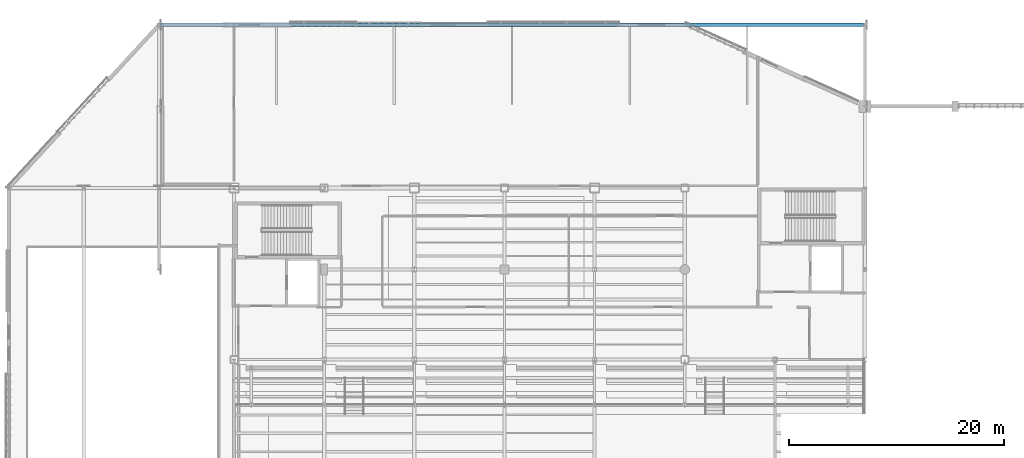
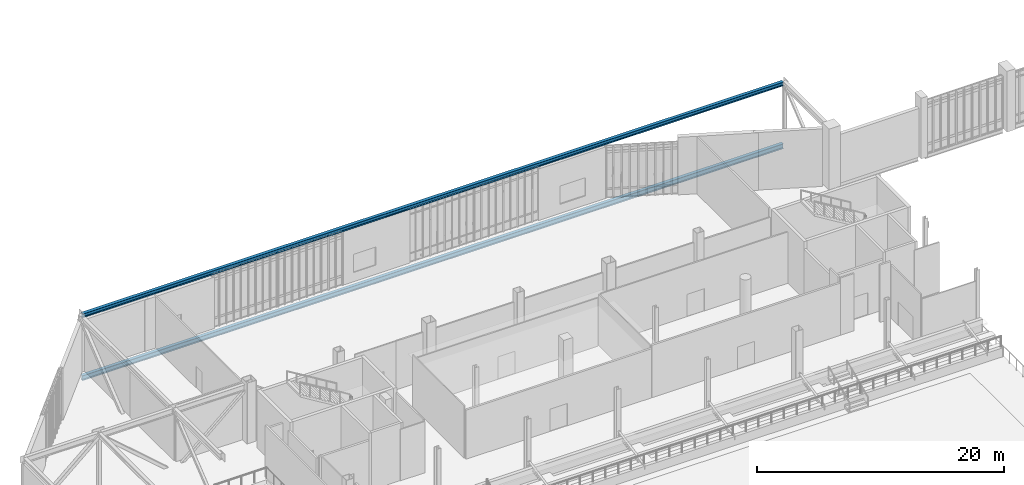
# One storey, part 31 of 135: 2 beams.
"""IFC4 building model written with IfcOpenShell, lengths in metres."""

from ifc_helpers import new_model, si_unit, direction, frame, origin, origin_2d, place, context, subcontext, project, spatial, i_section, extrude, material, material_profile, profile_set, type_object, element, save


model = new_model("IFC4")

# Units and contexts
model_context = context("Model", 3, precision=1e-05, world=origin(), true_north=direction((0.0, 1.0)))
body_context = subcontext(model_context, "Body", "Model", "MODEL_VIEW")
ifc_project = project(units=[si_unit("LENGTHUNIT", "METRE"), si_unit("AREAUNIT", "SQUARE_METRE"), si_unit("VOLUMEUNIT", "CUBIC_METRE"), si_unit("PLANEANGLEUNIT", "RADIAN"), si_unit("MASSUNIT", "GRAM", prefix="KILO")], contexts=[model_context])

# Site, building, storey
site_placement = place(None, origin())
site = spatial("IfcSite", under=ifc_project, at=site_placement, CompositionType="ELEMENT")
building_placement = place(site_placement, origin())
building = spatial("IfcBuilding", under=site, at=building_placement, Name="Larkvane Passage Sports Hall", CompositionType="ELEMENT")
storey_placement = place(building_placement, frame((0.0, 0.0, 10.800048828125)))
storey = spatial("IfcBuildingStorey", under=building, at=storey_placement, Name="L02", CompositionType="ELEMENT", Elevation=10.800048828125)

# Beams
ifc_material = material(Name="Steel S355JR", Category="steel")
ifc_material_profile_1 = material_profile(ifc_material, i_section(OverallWidth=0.300048828125, OverallDepth=0.389892578125, WebThickness=0.010009765625, FlangeThickness=0.01611328125, FilletRadius=0.01806640625, at=origin_2d()), Name="H-390x300x10x16")
ifc_profile_set_1 = profile_set([ifc_material_profile_1], Name="Steel S355JR")
beam_type_1 = type_object("IfcBeamType", Name="BM-STL-H390", PredefinedType="BEAM", material=ifc_profile_set_1)
beam_1_placement = place(storey_placement, frame((27.949951171875, 106.800048828125, 5.48486328125), z_axis=(1.0, 0.0, 0.0), x_axis=(0.0, 1.0, 0.0)))
element("IfcBeam", 1, at=beam_1_placement, inside=storey, type_object=beam_type_1, Name="Cantilever transverse top beam CT-N2A--4", PredefinedType="BEAM", context=body_context, shape_type="SweptSolid", body=[
    extrude(i_section(OverallWidth=0.300048828125, OverallDepth=0.389892578125, WebThickness=0.010009765625, FlangeThickness=0.01611328125, FilletRadius=0.01806640625, at=origin_2d()), origin(), (0.0, 0.0, 1.0), 65.5),
])
ifc_material_profile_2 = material_profile(ifc_material, i_section(OverallWidth=0.300048828125, OverallDepth=0.488037109375, WebThickness=0.010986328125, FlangeThickness=0.01806640625, FilletRadius=0.02197265625, at=origin_2d()), Name="H-488x300x11x18")
ifc_profile_set_2 = profile_set([ifc_material_profile_2], Name="Steel S355JR")
beam_type_2 = type_object("IfcBeamType", Name="BM-STL-H488", PredefinedType="BEAM", material=ifc_profile_set_2)
beam_2_placement = place(storey_placement, frame((27.949951171875, 106.800048828125, -0.6640625), z_axis=(1.0, 0.0, 0.0), x_axis=(0.0, 1.0, 0.0)))
element("IfcBeam", 2, at=beam_2_placement, inside=storey, type_object=beam_type_2, Name="Cantilever transverse flr beam CT-N2A--4", PredefinedType="BEAM", context=body_context, shape_type="SweptSolid", body=[
    extrude(i_section(OverallWidth=0.300048828125, OverallDepth=0.488037109375, WebThickness=0.010986328125, FlangeThickness=0.01806640625, FilletRadius=0.02197265625, at=origin_2d()), origin(), (0.0, 0.0, 1.0), 65.5),
])

save(model, "model.ifc")
